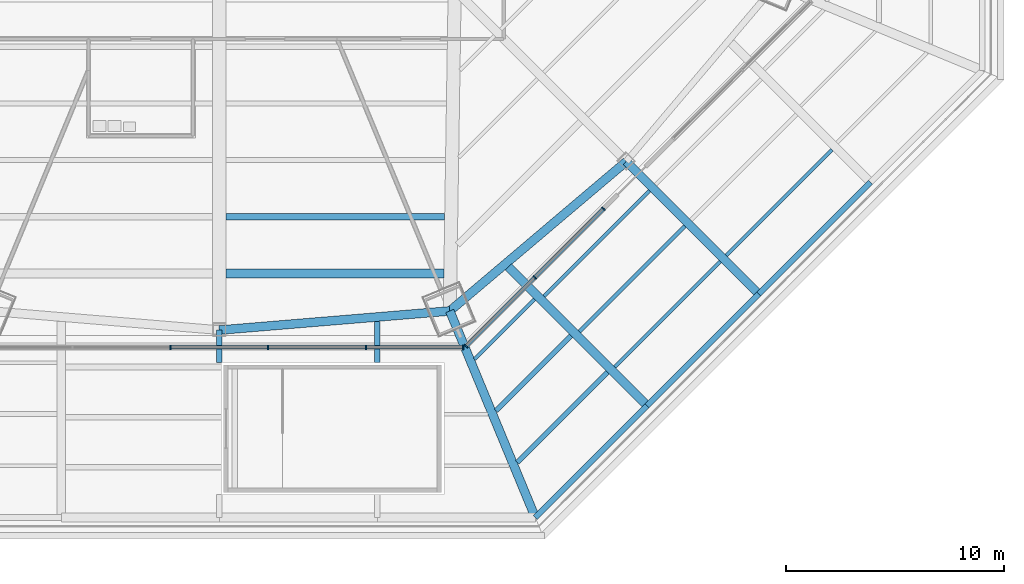
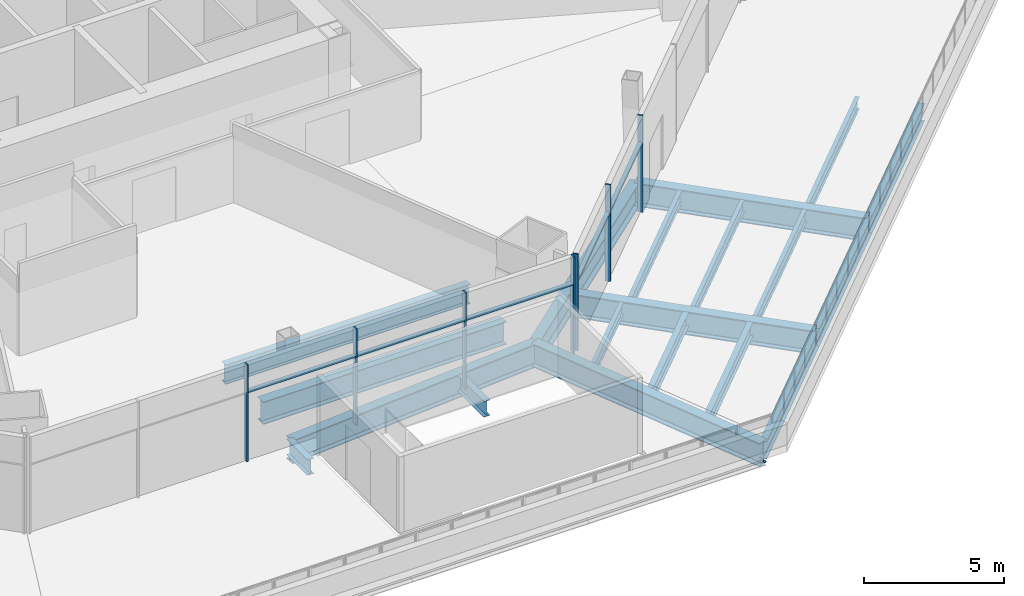
# One storey, part 5 of 25: 18 beams, 13 members, 2 elements without a shape of their own.
"""IFC4 building model written with IfcOpenShell, lengths in metres."""

from ifc_helpers import new_model, si_unit, direction, frame, origin, origin_2d, place, context, subcontext, project, spatial, rectangle, i_section, extrude, source, transform, mapped, material, material_profile, profile_set, type_object, type_shapes, element, aggregate, save


model = new_model("IFC4")

# Units and contexts
model_context = context("Model", 3, precision=1e-05, world=origin(), true_north=direction((0.0, 1.0)))
body_context = subcontext(model_context, "Body", "Model", "MODEL_VIEW")
ifc_project = project(units=[si_unit("LENGTHUNIT", "METRE"), si_unit("AREAUNIT", "SQUARE_METRE"), si_unit("VOLUMEUNIT", "CUBIC_METRE"), si_unit("PLANEANGLEUNIT", "RADIAN"), si_unit("MASSUNIT", "GRAM", prefix="KILO")], contexts=[model_context])

# Site, building, storey
site_placement = place(None, origin())
site = spatial("IfcSite", under=ifc_project, at=site_placement, CompositionType="ELEMENT")
building_placement = place(site_placement, origin())
building = spatial("IfcBuilding", under=site, at=building_placement, Name="Mashrafa Tower", CompositionType="ELEMENT")
storey_placement = place(building_placement, frame((0.0, 0.0, 28.800048828125)))
storey = spatial("IfcBuildingStorey", under=building, at=storey_placement, Name="L05", CompositionType="ELEMENT", Elevation=28.800048828125)

# Beams
ifc_material_1 = material(Name="Steel ASTM A992", Category="steel")
ifc_material_profile_1 = material_profile(ifc_material_1, i_section(OverallWidth=0.165771484375, OverallDepth=0.5283203125, WebThickness=0.009765625, FlangeThickness=0.013671875, FilletRadius=0.012939453125, at=origin_2d()), Name="W21X50")
ifc_profile_set_1 = profile_set([ifc_material_profile_1], Name="Steel ASTM A992")
beam_type_1 = type_object("IfcBeamType", Name="Beam W21X50", PredefinedType="BEAM", material=ifc_profile_set_1)
beam_1_placement = place(storey_placement, frame((14.458984375, -24.994140625, -0.564208984375), z_axis=(-0.707075391189, -0.707138169791, 0.0), x_axis=(0.707138169791, -0.707075391189, 0.0)))
element("IfcBeam", 1, at=beam_1_placement, inside=storey, type_object=beam_type_1, Name="Floor beam L05 101", PredefinedType="BEAM", context=body_context, shape_type="SweptSolid", body=[
    extrude(i_section(OverallWidth=0.165771484375, OverallDepth=0.5283203125, WebThickness=0.009765625, FlangeThickness=0.013671875, FilletRadius=0.012939453125, at=origin_2d()), origin(), (0.0, 0.0, 1.0), 3.888916015625),
])
for number, where, z_axis, x_axis, name in (
    (2, (19.731201171875, -20.01513671875, -0.564208984375), (-0.707106781187, -0.707106781187, 0.0), (0.707106781187, -0.707106781187, 0.0), "Floor beam L05 117"),
    (3, (21.3564453125, -21.64013671875, -0.564208984375), (-0.707088953991, -0.707124607932, 0.0), (0.707124607932, -0.707088953991, 0.0), "Floor beam L05 121"),
    (4, (22.981689453125, -23.265380859375, -0.564208984375), (-0.707088953991, -0.707124607932, 0.0), (0.707124607932, -0.707088953991, 0.0), "Floor beam L05 124"),
    (5, (28.107421875, -18.139892578125, -0.564208984375), (-0.707124607932, -0.707088953991, 0.0), (0.707088953991, -0.707124607932, 0.0), "Floor beam L05 136"),
):
    element("IfcBeam", number, at=place(storey_placement, frame(where, z_axis=z_axis, x_axis=x_axis)), inside=storey, type_object=beam_type_1, Name=name, PredefinedType="BEAM", context=body_context, shape_type="SweptSolid", body=[
        extrude(i_section(OverallWidth=0.165771484375, OverallDepth=0.5283203125, WebThickness=0.009765625, FlangeThickness=0.013671875, FilletRadius=0.012939453125, at=origin_2d()), origin(), (0.0, 0.0, 1.0), 6.847412109375),
    ])
ifc_material_2 = material(Name="Steel ASTM A992", Category="steel")
ifc_material_profile_2 = material_profile(ifc_material_2, i_section(OverallWidth=0.227783203125, OverallDepth=0.60205078125, WebThickness=0.010498046875, FlangeThickness=0.014892578125, FilletRadius=0.012939453125, at=origin_2d()), Name="W24X68")
ifc_profile_set_2 = profile_set([ifc_material_profile_2], Name="Steel ASTM A992")
beam_type_2 = type_object("IfcBeamType", Name="Beam W24X68", PredefinedType="BEAM", material=ifc_profile_set_2)
beam_2_placement = place(storey_placement, frame((16.133056640625, -26.668212890625, -0.60107421875), z_axis=(-0.707106781187, -0.707106781187, 0.0), x_axis=(0.707106781187, -0.707106781187, 0.0)))
element("IfcBeam", 6, at=beam_2_placement, inside=storey, type_object=beam_type_2, Name="Floor beam L05 108", PredefinedType="BEAM", context=body_context, shape_type="SweptSolid", body=[
    extrude(i_section(OverallWidth=0.227783203125, OverallDepth=0.60205078125, WebThickness=0.010498046875, FlangeThickness=0.014892578125, FilletRadius=0.012939453125, at=origin_2d()), origin(), (0.0, 0.0, 1.0), 4.86962890625),
])
ifc_material_3 = material(Name="Steel ASTM A992", Category="steel")
ifc_material_profile_3 = material_profile(ifc_material_3, i_section(OverallWidth=0.22900390625, OverallDepth=0.612060546875, WebThickness=0.011962890625, FlangeThickness=0.01953125, FilletRadius=0.0126953125, at=origin_2d()), Name="W24X84")
ifc_profile_set_3 = profile_set([ifc_material_profile_3], Name="Steel ASTM A992")
beam_type_3 = type_object("IfcBeamType", Name="Beam W24X84", PredefinedType="BEAM", material=ifc_profile_set_3)
beam_3_placement = place(storey_placement, frame((17.80712890625, -28.34228515625, -0.606201171875), z_axis=(-0.707106781187, -0.707106781187, 0.0), x_axis=(0.707106781187, -0.707106781187, 0.0)))
element("IfcBeam", 7, at=beam_3_placement, inside=storey, type_object=beam_type_3, Name="Floor beam L05 112", PredefinedType="BEAM", context=body_context, shape_type="SweptSolid", body=[
    extrude(i_section(OverallWidth=0.22900390625, OverallDepth=0.612060546875, WebThickness=0.011962890625, FlangeThickness=0.01953125, FilletRadius=0.0126953125, at=origin_2d()), origin(), (0.0, 0.0, 1.0), 5.85009765625),
])
ifc_material_4 = material(Name="Steel ASTM A992", Category="steel")
ifc_material_profile_4 = material_profile(ifc_material_4, i_section(OverallWidth=0.256591796875, OverallDepth=0.693359375, WebThickness=0.014404296875, FlangeThickness=0.023681640625, FilletRadius=0.01513671875, at=origin_2d()), Name="W27X114")
ifc_profile_set_4 = profile_set([ifc_material_profile_4], Name="Steel ASTM A992")
beam_type_4 = type_object("IfcBeamType", Name="Beam W27X114", PredefinedType="BEAM", material=ifc_profile_set_4)
beam_4_placement = place(storey_placement, frame((7.248779296875, -26.0078125, -0.646728515625), z_axis=(0.0, -1.0, 0.0), x_axis=(1.0, 0.0, 0.0)))
element("IfcBeam", 8, at=beam_4_placement, inside=storey, type_object=beam_type_4, Name="Podium radial beam L05 200", PredefinedType="BEAM", context=body_context, shape_type="SweptSolid", body=[
    extrude(i_section(OverallWidth=0.256591796875, OverallDepth=0.693359375, WebThickness=0.014404296875, FlangeThickness=0.023681640625, FilletRadius=0.01513671875, at=origin_2d()), origin(), (0.0, 0.0, 1.0), 1.89208984375),
])
ifc_material_5 = material(Name="Steel ASTM A992", Category="steel")
ifc_material_profile_5 = material_profile(ifc_material_5, i_section(OverallWidth=0.2666015625, OverallDepth=0.761962890625, WebThickness=0.014404296875, FlangeThickness=0.021484375, FilletRadius=0.0166015625, at=origin_2d()), Name="W30X116")
ifc_profile_set_5 = profile_set([ifc_material_profile_5], Name="Steel ASTM A992")
beam_type_5 = type_object("IfcBeamType", Name="Beam W30X116", PredefinedType="BEAM", material=ifc_profile_set_5)
beam_5_placement = place(storey_placement, frame((14.49755859375, -35.0, -0.68115234375), z_axis=(0.707106781187, 0.707106781187, 0.0), x_axis=(-0.707106781187, 0.707106781187, 0.0)))
element("IfcBeam", 9, at=beam_5_placement, inside=storey, type_object=beam_type_5, Name="Podium edge beam L05 164", PredefinedType="BEAM", context=body_context, shape_type="SweptSolid", body=[
    extrude(i_section(OverallWidth=0.2666015625, OverallDepth=0.761962890625, WebThickness=0.014404296875, FlangeThickness=0.021484375, FilletRadius=0.0166015625, at=origin_2d()), origin(), (0.0, 0.0, 1.0), 7.24853515625),
])
for number, where, z_axis, x_axis, name in (
    (10, (19.623046875, -29.87451171875, -0.68115234375), (0.707106781187, 0.707106781187, 0.0), (-0.707106781187, 0.707106781187, 0.0), "Podium edge beam L05 166"),
    (11, (24.748779296875, -24.748779296875, -0.68115234375), (0.707106781187, 0.707106781187, 0.0), (-0.707106781187, 0.707106781187, 0.0), "Podium edge beam L05 168"),
):
    element("IfcBeam", number, at=place(storey_placement, frame(where, z_axis=z_axis, x_axis=x_axis)), inside=storey, type_object=beam_type_5, Name=name, PredefinedType="BEAM", context=body_context, shape_type="SweptSolid", body=[
        extrude(i_section(OverallWidth=0.2666015625, OverallDepth=0.761962890625, WebThickness=0.014404296875, FlangeThickness=0.021484375, FilletRadius=0.0166015625, at=origin_2d()), origin(), (0.0, 0.0, 1.0), 7.248779296875),
    ])
ifc_material_6 = material(Name="Steel ASTM A992", Category="steel")
ifc_material_profile_6 = material_profile(ifc_material_6, i_section(OverallWidth=0.2919921875, OverallDepth=0.845703125, WebThickness=0.015380859375, FlangeThickness=0.0244140625, FilletRadius=0.017333984375, at=origin_2d()), Name="W33X141")
ifc_profile_set_6 = profile_set([ifc_material_profile_6], Name="Steel ASTM A992")
beam_type_6 = type_object("IfcBeamType", Name="Beam W33X141", PredefinedType="BEAM", material=ifc_profile_set_6)
beam_6_placement = place(storey_placement, frame((10.341064453125, -21.205810546875, -0.722900390625), z_axis=(-1.0, 0.0, 0.0), x_axis=(0.0, -1.0, 0.0)))
element("IfcBeam", 12, at=beam_6_placement, inside=storey, type_object=beam_type_6, Name="Floor beam L05 086", PredefinedType="BEAM", context=body_context, shape_type="SweptSolid", body=[
    extrude(i_section(OverallWidth=0.2919921875, OverallDepth=0.845703125, WebThickness=0.015380859375, FlangeThickness=0.0244140625, FilletRadius=0.017333984375, at=origin_2d()), origin(), (0.0, 0.0, 1.0), 10.041015625),
])
ifc_material_7 = material(Name="Steel ASTM A992", Category="steel")
ifc_material_profile_7 = material_profile(ifc_material_7, i_section(OverallWidth=0.4013671875, OverallDepth=0.98291015625, WebThickness=0.0166015625, FlangeThickness=0.027099609375, FilletRadius=0.0126953125, at=origin_2d()), Name="W40X199")
ifc_profile_set_7 = profile_set([ifc_material_profile_7], Name="Steel ASTM A992")
beam_type_7 = type_object("IfcBeamType", Name="Beam W40X199", PredefinedType="BEAM", material=ifc_profile_set_7)
beam_7_placement = place(storey_placement, frame((10.30126953125, -23.80712890625, -0.79150390625), z_axis=(-1.0, 0.0, 0.0), x_axis=(0.0, -1.0, 0.0)))
element("IfcBeam", 13, at=beam_7_placement, inside=storey, type_object=beam_type_7, Name="Floor beam L05 084", PredefinedType="BEAM", context=body_context, shape_type="SweptSolid", body=[
    extrude(i_section(OverallWidth=0.4013671875, OverallDepth=0.98291015625, WebThickness=0.0166015625, FlangeThickness=0.027099609375, FilletRadius=0.0126953125, at=origin_2d()), origin(), (0.0, 0.0, 1.0), 10.001220703125),
])
ifc_material_8 = material(Name="Steel ASTM A992", Category="steel")
ifc_material_profile_8 = material_profile(ifc_material_8, i_section(OverallWidth=0.4013671875, OverallDepth=1.010986328125, WebThickness=0.023681640625, FlangeThickness=0.0419921875, FilletRadius=0.02001953125, at=origin_2d()), Name="W40X297")
ifc_profile_set_8 = profile_set([ifc_material_profile_8], Name="Steel ASTM A992")
beam_type_8 = type_object("IfcBeamType", Name="Beam W40X297", PredefinedType="BEAM", material=ifc_profile_set_8)
beam_8_placement = place(storey_placement, frame((10.574951171875, -25.5302734375, -0.805419921875), z_axis=(0.382693279242, -0.92387545374, 0.0), x_axis=(0.92387545374, 0.382693279242, 0.0)))
element("IfcBeam", 14, at=beam_8_placement, inside=storey, type_object=beam_type_8, Name="Podium radial beam L05 202", PredefinedType="BEAM", context=body_context, shape_type="SweptSolid", body=[
    extrude(i_section(OverallWidth=0.4013671875, OverallDepth=1.010986328125, WebThickness=0.023681640625, FlangeThickness=0.0419921875, FilletRadius=0.02001953125, at=origin_2d()), origin(), (0.0, 0.0, 1.0), 10.25),
])
beam_9_placement = place(storey_placement, frame((13.2646484375, -23.51611328125, -0.805419921875), z_axis=(0.707106781187, -0.707106781187, 0.0), x_axis=(0.707106781187, 0.707106781187, 0.0)))
element("IfcBeam", 15, at=beam_9_placement, inside=storey, type_object=beam_type_8, Name="Podium radial beam L05 204", PredefinedType="BEAM", context=body_context, shape_type="SweptSolid", body=[
    extrude(i_section(OverallWidth=0.4013671875, OverallDepth=1.010986328125, WebThickness=0.023681640625, FlangeThickness=0.0419921875, FilletRadius=0.02001953125, at=origin_2d()), origin(), (0.0, 0.0, 1.0), 8.9921875),
])
beam_10_placement = place(storey_placement, frame((18.673583984375, -18.673583984375, -0.805419921875), z_axis=(0.707106781187, -0.707106781187, 0.0), x_axis=(0.707106781187, 0.707106781187, 0.0)))
element("IfcBeam", 16, at=beam_10_placement, inside=storey, type_object=beam_type_8, Name="Podium radial beam L05 206", PredefinedType="BEAM", context=body_context, shape_type="SweptSolid", body=[
    extrude(i_section(OverallWidth=0.4013671875, OverallDepth=1.010986328125, WebThickness=0.023681640625, FlangeThickness=0.0419921875, FilletRadius=0.02001953125, at=origin_2d()), origin(), (0.0, 0.0, 1.0), 8.591552734375),
])
for number, where, z_axis, x_axis, name in (
    (17, (0.0, -26.408447265625, -0.805419921875), (0.996569676299, 0.082757962037, 0.0), (-0.082757962037, 0.996569676299, 0.0), "Podium ring girder L05 224"),
    (18, (10.574951171875, -25.5302734375, -0.805419921875), (0.763200370104, 0.646161895405, 0.0), (-0.646161895405, 0.763200370104, 0.0), "Podium ring girder L05 226"),
):
    element("IfcBeam", number, at=place(storey_placement, frame(where, z_axis=z_axis, x_axis=x_axis)), inside=storey, type_object=beam_type_8, Name=name, PredefinedType="BEAM", context=body_context, shape_type="SweptSolid", body=[
        extrude(i_section(OverallWidth=0.4013671875, OverallDepth=1.010986328125, WebThickness=0.023681640625, FlangeThickness=0.0419921875, FilletRadius=0.02001953125, at=origin_2d()), origin(), (0.0, 0.0, 1.0), 10.611328125),
    ])

# Member
ifc_material_9 = material(Name="Steel ASTM A992", Category="steel")
ifc_material_profile_9 = material_profile(ifc_material_9, i_section(OverallWidth=0.25390625, OverallDepth=0.683349609375, WebThickness=0.012451171875, FlangeThickness=0.01904296875, FilletRadius=0.01513671875, at=origin_2d()), Name="W27X94")
ifc_profile_set_9 = profile_set([ifc_material_profile_9], Name="Steel ASTM A992")
member_type_1 = type_object("IfcMemberType", Name="Tie strut W27X94", PredefinedType="STRUT", material=ifc_profile_set_9)
shared_shape_1 = source(origin(), body_context, "Body", "SweptSolid", [
    extrude(i_section(OverallWidth=0.25390625, OverallDepth=0.683349609375, WebThickness=0.012451171875, FlangeThickness=0.01904296875, FilletRadius=0.01513671875, at=origin_2d()), origin(), (0.0, 0.0, 1.0), 1.491455078125),
])
type_shapes(member_type_1, [shared_shape_1])
member_1_placement = place(storey_placement, frame((0.0, -26.408447265625, -0.6416015625), z_axis=(0.0, -1.0, 0.0), x_axis=(1.0, 0.0, 0.0)))
element("IfcMember", 19, at=member_1_placement, inside=storey, type_object=member_type_1, Name="Tie strut L05 196", PredefinedType="STRUT", context=body_context, shape_type="MappedRepresentation", body=[
    mapped(shared_shape_1, transform((0.0, 0.0, 0.0))),
])

# Curtain wall, members
ifc_material_10 = material(Name="Unitised aluminium curtain wall", Category="aluminium")
curtain_wall_type = type_object("IfcCurtainWallType", Name="Office curtain wall, zone 1 CW-A 200 deep", PredefinedType="NOTDEFINED", material=ifc_material_10)
curtain_wall_1_placement = place(storey_placement, origin())
curtain_wall_1 = element("IfcCurtainWall", 20, at=curtain_wall_1_placement, inside=storey, type_object=curtain_wall_type, Name="Office curtain wall, zone 1 L05 south", PredefinedType="NOTDEFINED")
ifc_material_11 = material(Name="Extruded aluminium mullion", Category="aluminium")
ifc_material_profile_10 = material_profile(ifc_material_11, rectangle(XDim=0.199951171875, YDim=0.06494140625, at=origin_2d()), Name="Mullion 65x200")
ifc_profile_set_10 = profile_set([ifc_material_profile_10], Name="Extruded aluminium mullion")
member_type_2 = type_object("IfcMemberType", Name="Mullion CW-A 65 x 200", PredefinedType="MULLION", material=ifc_profile_set_10)
shared_shape_2 = source(origin(), body_context, "Body", "SweptSolid", [
    extrude(rectangle(XDim=0.199951171875, YDim=0.06494140625, at=origin_2d()), origin(), (0.0, 0.0, 1.0), 4.199951171875),
])
type_shapes(member_type_2, [shared_shape_2])
member_2_placement = place(storey_placement, frame((-2.242919921875, -27.199951171875, 0.0), z_axis=(0.0, 0.0, 1.0), x_axis=(0.0, 1.0, 0.0)))
member_2 = element("IfcMember", 21, at=member_2_placement, type_object=member_type_2, Name="CW-A mullion 3", PredefinedType="MULLION", context=body_context, shape_type="MappedRepresentation", body=[
    mapped(shared_shape_2, transform((0.0, 0.0, 0.0))),
])
member_3_placement = place(storey_placement, frame((2.242919921875, -27.199951171875, 0.0), z_axis=(0.0, 0.0, 1.0), x_axis=(0.0, 1.0, 0.0)))
member_3 = element("IfcMember", 22, at=member_3_placement, type_object=member_type_2, Name="CW-A mullion 4", PredefinedType="MULLION", context=body_context, shape_type="MappedRepresentation", body=[
    mapped(shared_shape_2, transform((0.0, 0.0, 0.0))),
])
member_4_placement = place(storey_placement, frame((6.72900390625, -27.199951171875, 0.0), z_axis=(0.0, 0.0, 1.0), x_axis=(0.0, 1.0, 0.0)))
member_4 = element("IfcMember", 23, at=member_4_placement, type_object=member_type_2, Name="CW-A mullion 5", PredefinedType="MULLION", context=body_context, shape_type="MappedRepresentation", body=[
    mapped(shared_shape_2, transform((0.0, 0.0, 0.0))),
])
member_5_placement = place(storey_placement, frame((11.1826171875, -27.199951171875, 0.0), z_axis=(0.0, 0.0, 1.0), x_axis=(0.0, 1.0, 0.0)))
member_5 = element("IfcMember", 24, at=member_5_placement, type_object=member_type_2, Name="CW-A mullion 6", PredefinedType="MULLION", context=body_context, shape_type="MappedRepresentation", body=[
    mapped(shared_shape_2, transform((0.0, 0.0, 0.0))),
])

curtain_wall_2_placement = place(storey_placement, origin())
curtain_wall_2 = element("IfcCurtainWall", 25, at=curtain_wall_2_placement, inside=storey, type_object=curtain_wall_type, Name="Office curtain wall, zone 1 L05 south-east part 1", PredefinedType="NOTDEFINED")
member_6_placement = place(storey_placement, frame((11.325927734375, -27.140625, 0.0), z_axis=(0.0, 0.0, 1.0), x_axis=(-0.707106781187, 0.707106781187, 0.0)))
member_6 = element("IfcMember", 26, at=member_6_placement, type_object=member_type_2, Name="CW-A mullion 1", PredefinedType="MULLION", context=body_context, shape_type="MappedRepresentation", body=[
    mapped(shared_shape_2, transform((0.0, 0.0, 0.0))),
])
member_7_placement = place(storey_placement, frame((14.47509765625, -23.991455078125, 0.0), z_axis=(0.0, 0.0, 1.0), x_axis=(-0.707106781187, 0.707106781187, 0.0)))
member_7 = element("IfcMember", 27, at=member_7_placement, type_object=member_type_2, Name="CW-A mullion 2", PredefinedType="MULLION", context=body_context, shape_type="MappedRepresentation", body=[
    mapped(shared_shape_2, transform((0.0, 0.0, 0.0))),
])
member_8_placement = place(storey_placement, frame((17.624267578125, -20.84228515625, 0.0), z_axis=(0.0, 0.0, 1.0), x_axis=(-0.707106781187, 0.707106781187, 0.0)))
member_8 = element("IfcMember", 28, at=member_8_placement, type_object=member_type_2, Name="CW-A mullion 3", PredefinedType="MULLION", context=body_context, shape_type="MappedRepresentation", body=[
    mapped(shared_shape_2, transform((0.0, 0.0, 0.0))),
])

# Member
ifc_material_12 = material(Name="Extruded aluminium transom", Category="aluminium")
ifc_material_profile_11 = material_profile(ifc_material_12, rectangle(XDim=0.159912109375, YDim=0.080078125, at=origin_2d()), Name="Transom 80x160")
ifc_profile_set_11 = profile_set([ifc_material_profile_11], Name="Extruded aluminium transom")
member_type_3 = type_object("IfcMemberType", Name="Transom CW-A 80 x 160", PredefinedType="MULLION", material=ifc_profile_set_11)
shared_shape_3 = source(origin(), body_context, "Body", "SweptSolid", [
    extrude(rectangle(XDim=0.159912109375, YDim=0.080078125, at=origin_2d()), origin(), (0.0, 0.0, 1.0), 4.388427734375),
])
member_9_placement = place(storey_placement, frame((6.76171875, -27.199951171875, 3.0), z_axis=(1.0, 0.0, 0.0), x_axis=(0.0, 1.0, 0.0)))
member_9 = element("IfcMember", 29, at=member_9_placement, type_object=member_type_3, Name="CW-A transom 5", PredefinedType="MULLION", context=body_context, shape_type="MappedRepresentation", body=[
    mapped(shared_shape_3, transform((0.0, 0.0, 0.0))),
])

shared_shape_4 = source(origin(), body_context, "Body", "SweptSolid", [
    extrude(rectangle(XDim=0.159912109375, YDim=0.080078125, at=origin_2d()), origin(), (0.0, 0.0, 1.0), 4.4208984375),
])
member_10_placement = place(storey_placement, frame((-2.21044921875, -27.199951171875, 3.0), z_axis=(1.0, 0.0, 0.0), x_axis=(0.0, 1.0, 0.0)))
member_10 = element("IfcMember", 30, at=member_10_placement, type_object=member_type_3, Name="CW-A transom 3", PredefinedType="MULLION", context=body_context, shape_type="MappedRepresentation", body=[
    mapped(shared_shape_4, transform((0.0, 0.0, 0.0))),
])

member_11_placement = place(storey_placement, frame((2.275634765625, -27.199951171875, 3.0), z_axis=(1.0, 0.0, 0.0), x_axis=(0.0, 1.0, 0.0)))
member_11 = element("IfcMember", 31, at=member_11_placement, type_object=member_type_3, Name="CW-A transom 4", PredefinedType="MULLION", context=body_context, shape_type="MappedRepresentation", body=[
    mapped(shared_shape_4, transform((0.0, 0.0, 0.0))),
])

aggregate(curtain_wall_1, [member_2, member_3, member_4, member_5, member_10, member_11, member_9])

shared_shape_5 = source(origin(), body_context, "Body", "SweptSolid", [
    extrude(rectangle(XDim=0.159912109375, YDim=0.080078125, at=origin_2d()), origin(), (0.0, 0.0, 1.0), 4.388671875),
])
type_shapes(member_type_3, [shared_shape_3, shared_shape_4, shared_shape_5])
member_12_placement = place(storey_placement, frame((11.348876953125, -27.11767578125, 3.0), z_axis=(0.707106781187, 0.707106781187, 0.0), x_axis=(-0.707106781187, 0.707106781187, 0.0)))
member_12 = element("IfcMember", 32, at=member_12_placement, type_object=member_type_3, Name="CW-A transom 1", PredefinedType="MULLION", context=body_context, shape_type="MappedRepresentation", body=[
    mapped(shared_shape_5, transform((0.0, 0.0, 0.0))),
])

member_13_placement = place(storey_placement, frame((14.498046875, -23.968505859375, 3.0), z_axis=(0.707106781187, 0.707106781187, 0.0), x_axis=(-0.707106781187, 0.707106781187, 0.0)))
member_13 = element("IfcMember", 33, at=member_13_placement, type_object=member_type_3, Name="CW-A transom 2", PredefinedType="MULLION", context=body_context, shape_type="MappedRepresentation", body=[
    mapped(shared_shape_5, transform((0.0, 0.0, 0.0))),
])

aggregate(curtain_wall_2, [member_6, member_7, member_8, member_12, member_13])

save(model, "model.ifc")
